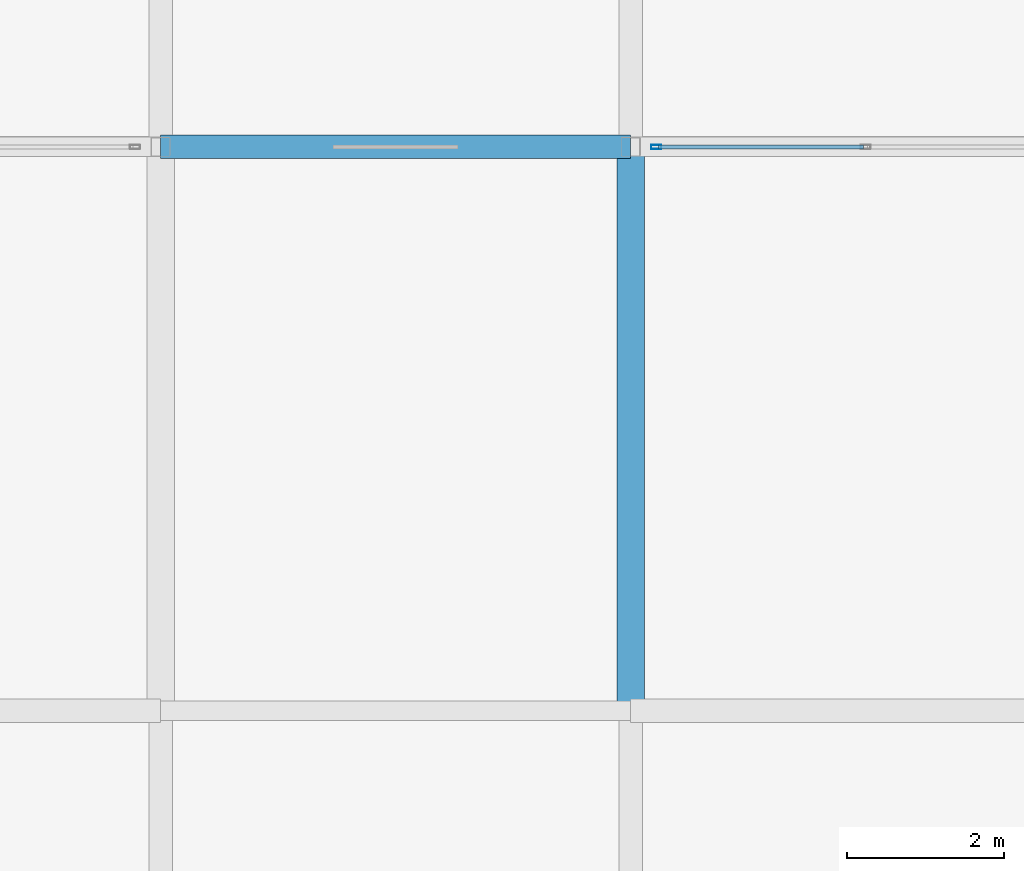
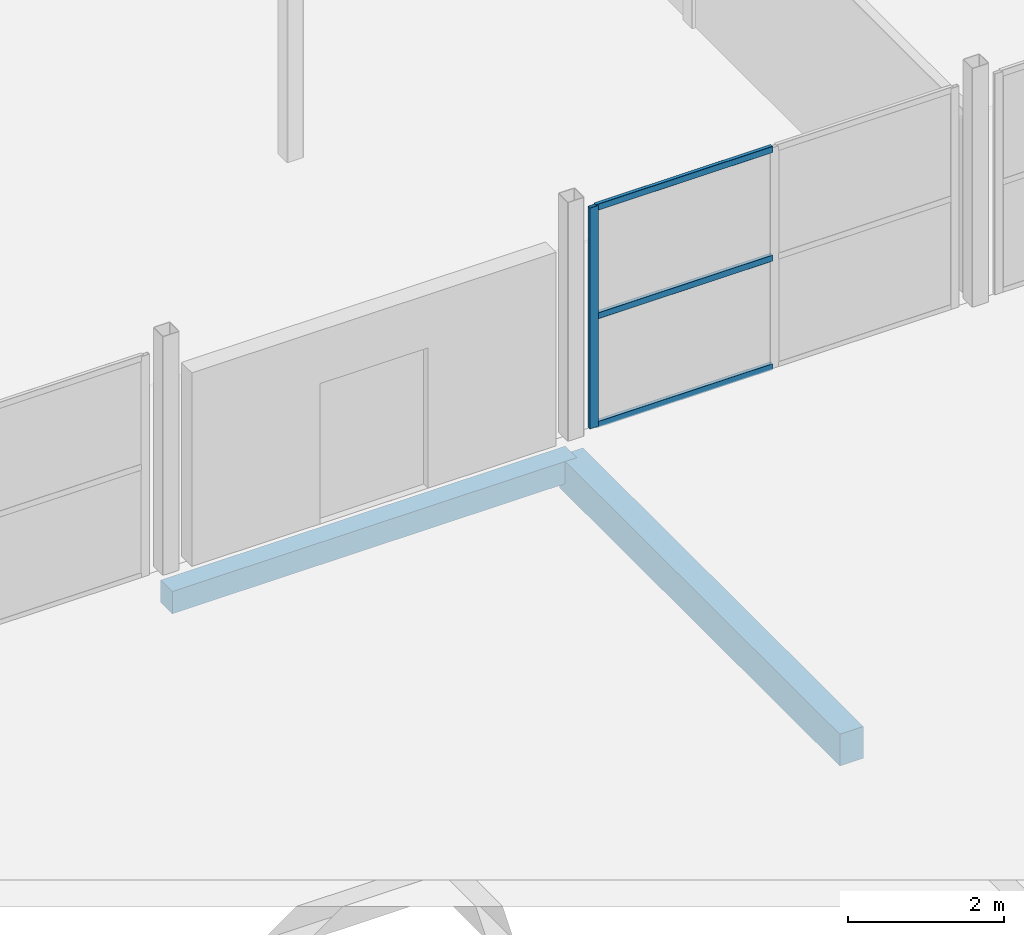
# One storey, part 29 of 239: 4 members, 2 beams, 1 element without a shape of its own.
"""IFC4 building model written with IfcOpenShell, lengths in metres."""

from ifc_helpers import new_model, si_unit, direction, frame, origin, origin_2d, place, context, subcontext, project, spatial, rectangle, hollow_rectangle, extrude, material, layer, layer_set, material_profile, profile_set, type_object, element, aggregate, save


model = new_model("IFC4")

# Units and contexts
model_context = context("Model", 3, precision=1e-05, world=origin(), true_north=direction((0.0, 1.0)))
body_context = subcontext(model_context, "Body", "Model", "MODEL_VIEW")
ifc_project = project(units=[si_unit("LENGTHUNIT", "METRE"), si_unit("AREAUNIT", "SQUARE_METRE"), si_unit("VOLUMEUNIT", "CUBIC_METRE"), si_unit("PLANEANGLEUNIT", "RADIAN"), si_unit("MASSUNIT", "GRAM", prefix="KILO")], contexts=[model_context])

# Site, building, storey
site_placement = place(None, origin())
site = spatial("IfcSite", under=ifc_project, at=site_placement, CompositionType="ELEMENT")
building_placement = place(site_placement, origin())
building = spatial("IfcBuilding", under=site, at=building_placement, Name="Dunvalen Ferry Terminal", CompositionType="ELEMENT")
storey_placement = place(building_placement, frame((0.0, 0.0, 9.840087890625)))
storey = spatial("IfcBuildingStorey", under=building, at=storey_placement, Name="L02", CompositionType="ELEMENT", Elevation=9.840087890625)

# Curtain wall, members
ifc_material_1 = material(Name="Anodised marine aluminium and solar-control glazing", Category="aluminium")
ifc_layer = layer(ifc_material_1, 0.159912109375, Name="Anodised marine aluminium and solar-control glazing")
ifc_layer_set = layer_set([ifc_layer], Name="Anodised marine aluminium and solar-control glazing")
curtain_wall_type = type_object("IfcCurtainWallType", Name="ENV-CW-SYS-09", PredefinedType="NOTDEFINED", material=ifc_layer_set)
curtain_wall_placement = place(storey_placement, origin())
curtain_wall = element("IfcCurtainWall", 1, at=curtain_wall_placement, inside=storey, type_object=curtain_wall_type, Name="L02 Curtain Wall CW-PAV-S-3", PredefinedType="NOTDEFINED")
ifc_material_2 = material(Name="Anodised marine aluminium EN AW-6063 T6", Category="aluminium")
ifc_material_profile_1 = material_profile(ifc_material_2, hollow_rectangle(XDim=0.054931640625, YDim=0.1298828125, WallThickness=0.003173828125, InnerFilletRadius=0.003173828125, OuterFilletRadius=0.00634765625, at=origin_2d()), Name="Anodised marine aluminium EN AW-6063 T6")
ifc_profile_set_1 = profile_set([ifc_material_profile_1], Name="Anodised marine aluminium EN AW-6063 T6")
member_type_1 = type_object("IfcMemberType", Name="ENV-CW-MUL-4", PredefinedType="MULLION", material=ifc_profile_set_1)
member_1_placement = place(storey_placement, frame((126.327392578125, 14.39990234375, 0.0), z_axis=(0.0, 0.0, 1.0), x_axis=(0.0, 1.0, 0.0)))
member_1 = element("IfcMember", 2, at=member_1_placement, type_object=member_type_1, Name="CW-09 mullion 1", PredefinedType="MULLION", context=body_context, shape_type="SweptSolid", body=[
    extrude(hollow_rectangle(XDim=0.054931640625, YDim=0.1298828125, WallThickness=0.003173828125, InnerFilletRadius=0.003173828125, OuterFilletRadius=0.00634765625, at=origin_2d()), origin(), (0.0, 0.0, 1.0), 3.4599609375),
])
ifc_material_profile_2 = material_profile(ifc_material_2, hollow_rectangle(XDim=0.054931640625, YDim=0.10009765625, WallThickness=0.0029296875, InnerFilletRadius=0.0029296875, OuterFilletRadius=0.006103515625, at=origin_2d()), Name="Anodised marine aluminium EN AW-6063 T6")
ifc_profile_set_2 = profile_set([ifc_material_profile_2], Name="Anodised marine aluminium EN AW-6063 T6")
member_type_2 = type_object("IfcMemberType", Name="ENV-CW-TRN-4", PredefinedType="USERDEFINED", material=ifc_profile_set_2)
member_2_placement = place(storey_placement, frame((126.35498046875, 14.39990234375, 0.02734375), z_axis=(1.0, 0.0, 0.0), x_axis=(0.0, 1.0, 0.0)))
member_2 = element("IfcMember", 3, at=member_2_placement, type_object=member_type_2, Name="CW-09 transom 1.1", ObjectType="TRANSOM", PredefinedType="USERDEFINED", context=body_context, shape_type="SweptSolid", body=[
    extrude(hollow_rectangle(XDim=0.054931640625, YDim=0.10009765625, WallThickness=0.0029296875, InnerFilletRadius=0.0029296875, OuterFilletRadius=0.006103515625, at=origin_2d()), origin(), (0.0, 0.0, 1.0), 2.617431640625),
])
member_3_placement = place(storey_placement, frame((126.35498046875, 14.39990234375, 1.72998046875), z_axis=(1.0, 0.0, 0.0), x_axis=(0.0, 1.0, 0.0)))
member_3 = element("IfcMember", 4, at=member_3_placement, type_object=member_type_2, Name="CW-09 transom 1.2", ObjectType="TRANSOM", PredefinedType="USERDEFINED", context=body_context, shape_type="SweptSolid", body=[
    extrude(hollow_rectangle(XDim=0.054931640625, YDim=0.10009765625, WallThickness=0.0029296875, InnerFilletRadius=0.0029296875, OuterFilletRadius=0.006103515625, at=origin_2d()), origin(), (0.0, 0.0, 1.0), 2.617431640625),
])
member_4_placement = place(storey_placement, frame((126.35498046875, 14.39990234375, 3.432373046875), z_axis=(1.0, 0.0, 0.0), x_axis=(0.0, 1.0, 0.0)))
member_4 = element("IfcMember", 5, at=member_4_placement, type_object=member_type_2, Name="CW-09 transom 1.3", ObjectType="TRANSOM", PredefinedType="USERDEFINED", context=body_context, shape_type="SweptSolid", body=[
    extrude(hollow_rectangle(XDim=0.054931640625, YDim=0.10009765625, WallThickness=0.0029296875, InnerFilletRadius=0.0029296875, OuterFilletRadius=0.006103515625, at=origin_2d()), origin(), (0.0, 0.0, 1.0), 2.617431640625),
])
aggregate(curtain_wall, [member_1, member_2, member_3, member_4])

# Beams
ifc_material_3 = material(Name="Concrete C35/45", Category="concrete")
ifc_material_profile_3 = material_profile(ifc_material_3, rectangle(XDim=0.35009765625, YDim=0.5, at=origin_2d()), Name="Concrete C35/45")
ifc_profile_set_3 = profile_set([ifc_material_profile_3], Name="Concrete C35/45")
beam_type_1 = type_object("IfcBeamType", Name="STR-BM-RCB500W", PredefinedType="JOIST", material=ifc_profile_set_3)
beam_1_placement = place(storey_placement, frame((126.0, 7.199951171875, -0.530029296875), z_axis=(0.0, 1.0, 0.0), x_axis=(-1.0, 0.0, 0.0)))
element("IfcBeam", 6, at=beam_1_placement, inside=storey, type_object=beam_type_1, Name="L02 V4 Primary Girder Y-081", PredefinedType="JOIST", context=body_context, shape_type="SweptSolid", body=[
    extrude(rectangle(XDim=0.35009765625, YDim=0.5, at=origin_2d()), origin(), (0.0, 0.0, 1.0), 7.199951171875),
])
ifc_material_4 = material(Name="Concrete C40/50", Category="concrete")
ifc_material_profile_4 = material_profile(ifc_material_4, rectangle(XDim=0.300048828125, YDim=0.35009765625, at=origin_2d()), Name="Concrete C40/50")
ifc_profile_set_4 = profile_set([ifc_material_profile_4], Name="Concrete C40/50")
beam_type_2 = type_object("IfcBeamType", Name="STR-BM-RCL350", PredefinedType="LINTEL", material=ifc_profile_set_4)
beam_2_placement = place(storey_placement, frame((120.0, 14.39990234375, -0.455078125), z_axis=(1.0, 0.0, 0.0), x_axis=(0.0, 1.0, 0.0)))
element("IfcBeam", 7, at=beam_2_placement, inside=storey, type_object=beam_type_2, Name="L02 V4 Primary Beam X-020", PredefinedType="LINTEL", context=body_context, shape_type="SweptSolid", body=[
    extrude(rectangle(XDim=0.300048828125, YDim=0.35009765625, at=origin_2d()), origin(), (0.0, 0.0, 1.0), 6.0),
])

save(model, "model.ifc")
